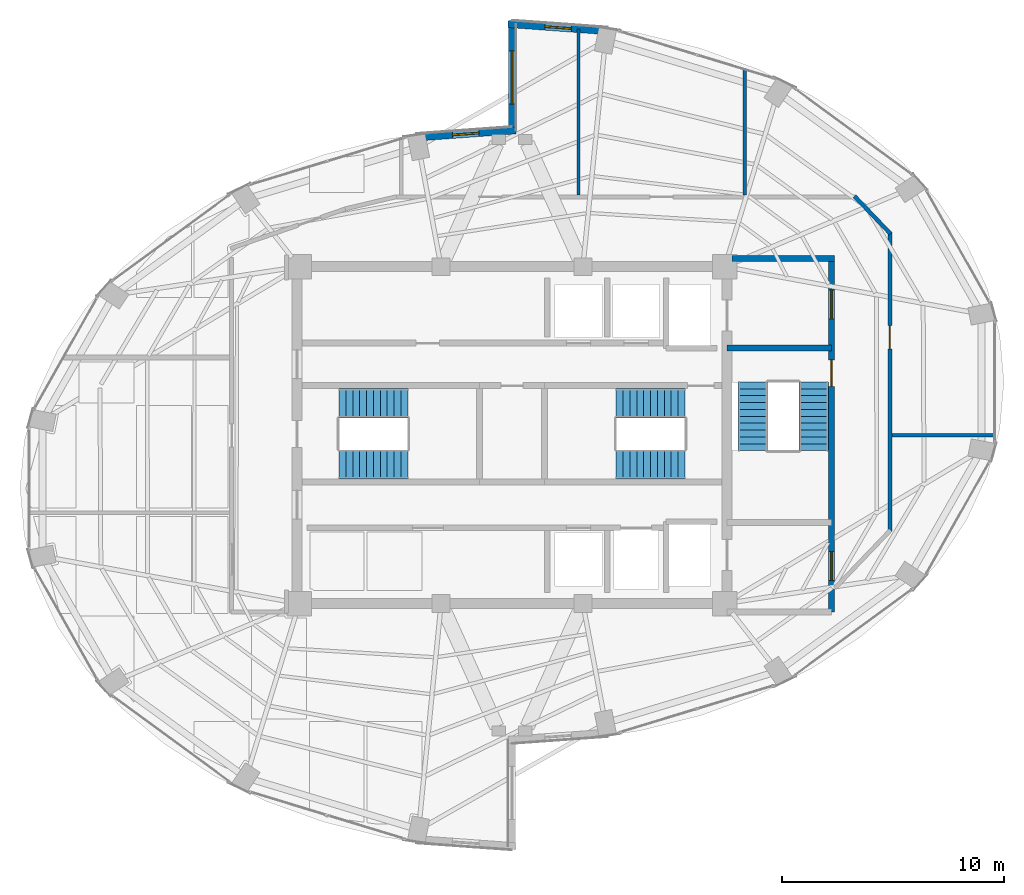
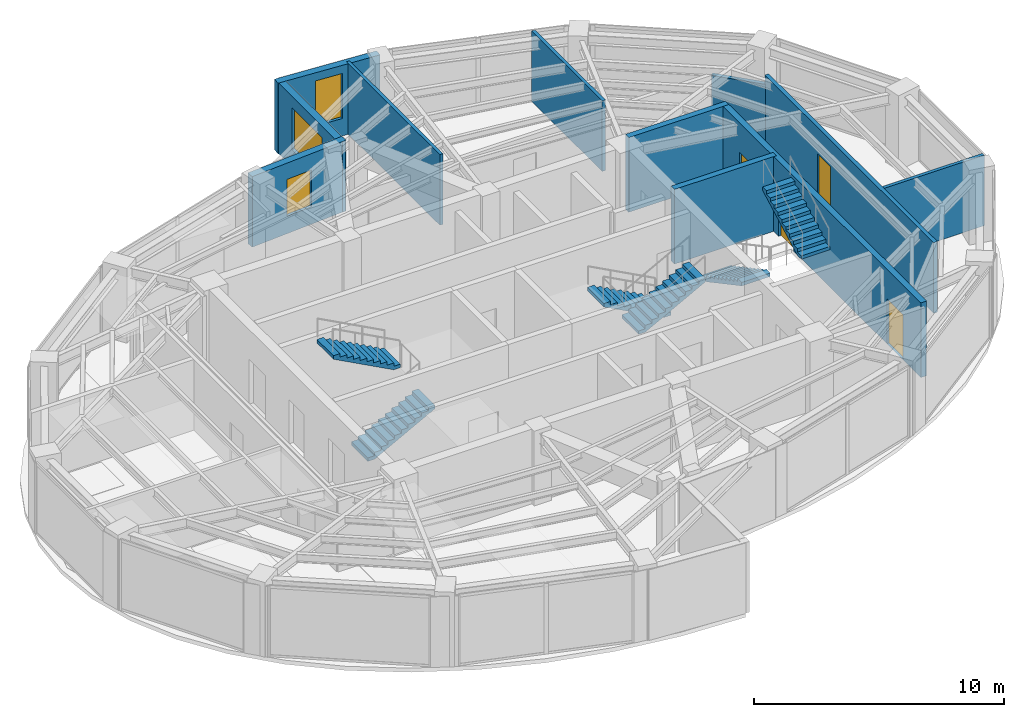
# One storey, part 20 of 22: 11 walls, 6 stair flights, 4 doors, 3 windows, 7 openings, 3 elements without a shape of their own.
"""IFC4 building model written with IfcOpenShell, lengths in metres."""

from ifc_helpers import new_model, si_unit, direction, frame, frame_2d, origin, place, context, subcontext, project, spatial, polyline, rectangle, outline, extrude, material, layer, layer_set, type_object, element, fill, aggregate, save


model = new_model("IFC4")

# Units and contexts
model_context = context("Model", 3, precision=1e-05, world=origin(), true_north=direction((0.0, 1.0)))
body_context = subcontext(model_context, "Body", "Model", "MODEL_VIEW")
ifc_project = project(units=[si_unit("LENGTHUNIT", "METRE"), si_unit("AREAUNIT", "SQUARE_METRE"), si_unit("VOLUMEUNIT", "CUBIC_METRE"), si_unit("PLANEANGLEUNIT", "RADIAN"), si_unit("MASSUNIT", "GRAM", prefix="KILO")], contexts=[model_context])

# Site, building, storey
site_placement = place(None, origin())
site = spatial("IfcSite", under=ifc_project, at=site_placement, CompositionType="ELEMENT")
building_placement = place(site_placement, origin())
building = spatial("IfcBuilding", under=site, at=building_placement, Name="Lazwardi Medical Tower", CompositionType="ELEMENT")
storey_placement = place(building_placement, frame((0.0, 0.0, 238.60791015625)))
storey = spatial("IfcBuildingStorey", under=building, at=storey_placement, Name="L62", CompositionType="ELEMENT", Elevation=238.60791015625)

# Wall
ifc_material_1 = material(Name="Fire-rated gypsum board on steel stud", Category="steel")
ifc_layer_1 = layer(ifc_material_1, 0.179931640625)
ifc_layer_set_1 = layer_set([ifc_layer_1], Name="Fire-rated gypsum board on steel stud")
wall_type_1 = type_object("IfcWallType", Name="WL-COR-180", PredefinedType="PARTITIONING", material=ifc_layer_set_1)
wall_1_placement = place(storey_placement, frame((51.45751953125, 38.77880859375, 0.0), z_axis=(0.0, 0.0, 1.0), x_axis=(0.691359830363, -0.722510612352, 0.0)))
element("IfcWall", 1, at=wall_1_placement, inside=storey, type_object=wall_type_1, Name="L62 Corridor partition 4", PredefinedType="PARTITIONING", context=body_context, shape_type="SweptSolid", body=[
    extrude(rectangle(XDim=2.34326171875, YDim=0.179931640625, at=frame_2d((1.171630859375, 0.0))), origin(), (0.0, 0.0, 1.0), 3.033203125),
])

# Wall, opening, door
wall_2_placement = place(storey_placement, frame((53.050048828125, 37.154541015625, 0.0), z_axis=(0.0, 0.0, 1.0), x_axis=(0.0, -1.0, 0.0)))
wall_2 = element("IfcWall", 2, at=wall_2_placement, inside=storey, type_object=wall_type_1, Name="L62 Corridor partition 5", PredefinedType="PARTITIONING", context=body_context, shape_type="SweptSolid", body=[
    extrude(rectangle(XDim=13.509033203125, YDim=0.179931640625, at=frame_2d((6.75439453125, 0.0))), origin(), (0.0, 0.0, 1.0), 3.447998046875),
])
opening_1_placement = place(wall_2_placement, frame((4.211181640625, 0.0, 0.0)))
opening_1 = element("IfcOpeningElement", 3, at=opening_1_placement, cuts=wall_2, Name="Opening D-L62-010", PredefinedType="OPENING", context=body_context, shape_type="SweptSolid", body=[
    extrude(rectangle(XDim=1.050048828125, YDim=2.14990234375, at=frame_2d((0.52490234375, 1.074951171875))), frame((0.0, 0.099853515625, 0.0), z_axis=(0.0, -1.0, 0.0), x_axis=(1.0, 0.0, 0.0)), (0.0, 0.0, 1.0), 0.199951171875),
])
ifc_material_2 = material(Name="Anti-microbial laminate hospital leaf")
door_type_1 = type_object("IfcDoorType", Name="DR-CLN-1050", OperationType="NOTDEFINED", PredefinedType="DOOR", material=ifc_material_2)
door_1_placement = place(opening_1_placement, origin())
door_1 = element("IfcDoor", 4, at=door_1_placement, inside=storey, type_object=door_type_1, Name="L62 Medical Duty Staff Room Door 03", OperationType="SINGLE_SWING_RIGHT", OverallHeight=2.14990234375, OverallWidth=1.050048828125, PredefinedType="DOOR", context=body_context, shape_type="SweptSolid", body=[
    extrude(rectangle(XDim=1.050048828125, YDim=2.14990234375, at=frame_2d((0.52490234375, 1.074951171875))), frame((0.0, 0.02490234375, 0.0), z_axis=(0.0, -1.0, 0.0), x_axis=(1.0, 0.0, 0.0)), (0.0, 0.0, 1.0), 0.050048828125),
])
fill(opening_1, door_1)

# Wall, opening, window
ifc_material_3 = material(Name="Precast concrete C45/55", Category="concrete")
ifc_layer_2 = layer(ifc_material_3, 0.320068359375)
ifc_layer_set_2 = layer_set([ifc_layer_2], Name="Precast concrete C45/55")
wall_type_2 = type_object("IfcWallType", Name="WL-IWAN-320", PredefinedType="SOLIDWALL", material=ifc_layer_set_2)
wall_3_placement = place(storey_placement, frame((40.349609375, 46.226318359375, 0.0), z_axis=(0.0, 0.0, 1.0), x_axis=(-0.997409061056, 0.071938619141, 0.0)))
wall_3 = element("IfcWall", 5, at=wall_3_placement, inside=storey, type_object=wall_type_2, Name="L62 Iwan Portal Return Wall NE_ret", PredefinedType="SOLIDWALL", context=body_context, shape_type="SweptSolid", body=[
    extrude(rectangle(XDim=4.540771484375, YDim=0.320068359375, at=frame_2d((2.2705078125, 0.0))), origin(), (0.0, 0.0, 1.0), 3.447998046875),
])
opening_2_placement = place(wall_3_placement, frame((1.67041015625, 0.0, 0.85009765625)))
opening_2 = element("IfcOpeningElement", 6, at=opening_2_placement, cuts=wall_3, Name="Opening WN-01", PredefinedType="OPENING", context=body_context, shape_type="SweptSolid", body=[
    extrude(rectangle(XDim=1.199951171875, YDim=2.199951171875, at=frame_2d((0.60009765625, 1.10009765625))), frame((0.0, 0.169921875, 0.0), z_axis=(0.0, -1.0, 0.0), x_axis=(1.0, 0.0, 0.0)), (0.0, 0.0, 1.0), 0.340087890625),
])
ifc_material_4 = material(Name="Low-e bronze solar control double glazing", Category="glass")
window_type_1 = type_object("IfcWindowType", Name="WIN-IW-1200", PartitioningType="SINGLE_PANEL", PredefinedType="WINDOW", material=ifc_material_4)
window_1_placement = place(opening_2_placement, origin())
window_1 = element("IfcWindow", 7, at=window_1_placement, inside=storey, type_object=window_type_1, Name="L62 Iwan Slot Window NE_ret", OverallHeight=2.199951171875, OverallWidth=1.199951171875, PartitioningType="SINGLE_PANEL", PredefinedType="WINDOW", context=body_context, shape_type="SweptSolid", body=[
    extrude(rectangle(XDim=1.199951171875, YDim=2.199951171875, at=frame_2d((0.60009765625, 1.10009765625))), frame((0.0, 0.030029296875, 0.0), z_axis=(0.0, -1.0, 0.0), x_axis=(1.0, 0.0, 0.0)), (0.0, 0.0, 1.0), 0.06005859375),
])
fill(opening_2, window_1)

wall_4_placement = place(storey_placement, frame((36.17919921875, 41.7529296875, 0.0), z_axis=(0.0, 0.0, 1.0), x_axis=(-0.997408782787, -0.071942477163, 0.0)))
wall_4 = element("IfcWall", 8, at=wall_4_placement, inside=storey, type_object=wall_type_2, Name="L62 Iwan Portal Return Wall NW_ret", PredefinedType="SOLIDWALL", context=body_context, shape_type="SweptSolid", body=[
    extrude(rectangle(XDim=4.54052734375, YDim=0.320068359375, at=frame_2d((2.270263671875, 0.0))), origin(), (0.0, 0.0, 1.0), 3.447998046875),
])
opening_3_placement = place(wall_4_placement, frame((1.67041015625, 0.0, 0.85009765625)))
opening_3 = element("IfcOpeningElement", 9, at=opening_3_placement, cuts=wall_4, Name="Opening WN-04", PredefinedType="OPENING", context=body_context, shape_type="SweptSolid", body=[
    extrude(rectangle(XDim=1.199951171875, YDim=1.800048828125, at=frame_2d((0.60009765625, 0.89990234375))), frame((0.0, 0.169921875, 0.0), z_axis=(0.0, -1.0, 0.0), x_axis=(1.0, 0.0, 0.0)), (0.0, 0.0, 1.0), 0.340087890625),
])
window_type_2 = type_object("IfcWindowType", Name="WIN-DRUM-1200", PartitioningType="SINGLE_PANEL", PredefinedType="WINDOW", material=ifc_material_4)
window_2_placement = place(opening_3_placement, origin())
window_2 = element("IfcWindow", 10, at=window_2_placement, inside=storey, type_object=window_type_2, Name="L62 Iwan Slot Window NW_ret", OverallHeight=1.800048828125, OverallWidth=1.199951171875, PartitioningType="SINGLE_PANEL", PredefinedType="WINDOW", context=body_context, shape_type="SweptSolid", body=[
    extrude(rectangle(XDim=1.199951171875, YDim=1.800048828125, at=frame_2d((0.60009765625, 0.89990234375))), frame((0.0, 0.030029296875, 0.0), z_axis=(0.0, -1.0, 0.0), x_axis=(1.0, 0.0, 0.0)), (0.0, 0.0, 1.0), 0.06005859375),
])
fill(opening_3, window_2)

wall_5_placement = place(storey_placement, frame((36.0, 46.699951171875, 0.0), z_axis=(0.0, 0.0, 1.0), x_axis=(0.0, -1.0, 0.0)))
wall_5 = element("IfcWall", 11, at=wall_5_placement, inside=storey, type_object=wall_type_2, Name="L62 Turquoise Tilework Iwan Seam Wall N_seam", PredefinedType="SOLIDWALL", context=body_context, shape_type="SweptSolid", body=[
    extrude(rectangle(XDim=5.119873046875, YDim=0.320068359375, at=frame_2d((2.56005859375, 0.0))), origin(), (0.0, 0.0, 1.0), 3.447998046875),
])
opening_4_placement = place(wall_5_placement, frame((1.360107421875, 0.0, 0.840087890625)))
opening_4 = element("IfcOpeningElement", 12, at=opening_4_placement, cuts=wall_5, Name="Opening WN-02", PredefinedType="OPENING", context=body_context, shape_type="SweptSolid", body=[
    extrude(rectangle(XDim=2.39990234375, YDim=2.0400390625, at=frame_2d((1.199951171875, 1.02001953125))), frame((0.0, 0.169921875, 0.0), z_axis=(0.0, -1.0, 0.0), x_axis=(1.0, 0.0, 0.0)), (0.0, 0.0, 1.0), 0.340087890625),
])
window_type_3 = type_object("IfcWindowType", Name="WIN-IW-2400", PartitioningType="SINGLE_PANEL", PredefinedType="WINDOW", material=ifc_material_4)
window_3_placement = place(opening_4_placement, origin())
window_3 = element("IfcWindow", 13, at=window_3_placement, inside=storey, type_object=window_type_3, Name="L62 Iwan Seam Window N_seam", OverallHeight=2.0400390625, OverallWidth=2.39990234375, PartitioningType="SINGLE_PANEL", PredefinedType="WINDOW", context=body_context, shape_type="SweptSolid", body=[
    extrude(rectangle(XDim=2.39990234375, YDim=2.0400390625, at=frame_2d((1.199951171875, 1.02001953125))), frame((0.0, 0.030029296875, 0.0), z_axis=(0.0, -1.0, 0.0), x_axis=(1.0, 0.0, 0.0)), (0.0, 0.0, 1.0), 0.06005859375),
])
fill(opening_4, window_3)

# Wall, openings, doors
ifc_material_5 = material(Name="Concrete C50/60", Category="concrete")
ifc_layer_3 = layer(ifc_material_5, 0.27001953125)
ifc_layer_set_3 = layer_set([ifc_layer_3], Name="Concrete C50/60")
wall_type_3 = type_object("IfcWallType", Name="WL-STR-250", PredefinedType="SHEAR", material=ifc_layer_set_3)
wall_6_placement = place(storey_placement, frame((50.4150390625, 35.844970703125, 0.0), z_axis=(0.0, 0.0, 1.0), x_axis=(0.0, -1.0, 0.0)))
wall_6 = element("IfcWall", 14, at=wall_6_placement, inside=storey, type_object=wall_type_3, Name="L62 East ST3 & FFL shear wall SW-S1", PredefinedType="SHEAR", context=body_context, shape_type="SweptSolid", body=[
    extrude(rectangle(XDim=15.824951171875, YDim=0.27001953125, at=frame_2d((7.91259765625, 0.0))), origin(), (0.0, 0.0, 1.0), 3.648193359375),
])
opening_5_placement = place(wall_6_placement, frame((4.445068359375, 0.0, 0.0)))
opening_5 = element("IfcOpeningElement", 15, at=opening_5_placement, cuts=wall_6, Name="Opening D-L62-016", PredefinedType="OPENING", context=body_context, shape_type="SweptSolid", body=[
    extrude(rectangle(XDim=1.199951171875, YDim=2.14990234375, at=frame_2d((0.60009765625, 1.074951171875))), frame((0.0, 0.14501953125, 0.0), z_axis=(0.0, -1.0, 0.0), x_axis=(1.0, 0.0, 0.0)), (0.0, 0.0, 1.0), 0.2900390625),
])
opening_6_placement = place(wall_6_placement, frame((1.294921875, 0.0, 0.0)))
opening_6 = element("IfcOpeningElement", 16, at=opening_6_placement, cuts=wall_6, Name="Opening D-L62-004", PredefinedType="OPENING", context=body_context, shape_type="SweptSolid", body=[
    extrude(rectangle(XDim=1.300048828125, YDim=2.199951171875, at=frame_2d((0.64990234375, 1.10009765625))), frame((0.0, 0.14501953125, 0.0), z_axis=(0.0, -1.0, 0.0), x_axis=(1.0, 0.0, 0.0)), (0.0, 0.0, 1.0), 0.2900390625),
])
opening_7_placement = place(wall_6_placement, frame((13.094970703125, 0.0, 0.0)))
opening_7 = element("IfcOpeningElement", 17, at=opening_7_placement, cuts=wall_6, Name="Opening D-L62-005", PredefinedType="OPENING", context=body_context, shape_type="SweptSolid", body=[
    extrude(rectangle(XDim=1.300048828125, YDim=2.199951171875, at=frame_2d((0.64990234375, 1.10009765625))), frame((0.0, 0.14501953125, 0.0), z_axis=(0.0, -1.0, 0.0), x_axis=(1.0, 0.0, 0.0)), (0.0, 0.0, 1.0), 0.2900390625),
])
ifc_material_6 = material(Name="Fire-rated steel leaf and frame", Category="steel")
door_type_2 = type_object("IfcDoorType", Name="DR-FFL-1300", OperationType="NOTDEFINED", PredefinedType="DOOR", material=ifc_material_6)
door_2_placement = place(opening_6_placement, origin())
door_2 = element("IfcDoor", 18, at=door_2_placement, inside=storey, type_object=door_type_2, Name="L62 Fire-Fighting Lobby North Door", OperationType="SINGLE_SWING_RIGHT", OverallHeight=2.199951171875, OverallWidth=1.300048828125, PredefinedType="DOOR", context=body_context, shape_type="SweptSolid", body=[
    extrude(rectangle(XDim=1.300048828125, YDim=2.199951171875, at=frame_2d((0.64990234375, 1.10009765625))), frame((0.0, 0.02490234375, 0.0), z_axis=(0.0, -1.0, 0.0), x_axis=(1.0, 0.0, 0.0)), (0.0, 0.0, 1.0), 0.050048828125),
])
fill(opening_6, door_2)
door_3_placement = place(opening_7_placement, origin())
door_3 = element("IfcDoor", 19, at=door_3_placement, inside=storey, type_object=door_type_2, Name="L62 Fire-Fighting Lobby South Door", OperationType="SINGLE_SWING_LEFT", OverallHeight=2.199951171875, OverallWidth=1.300048828125, PredefinedType="DOOR", context=body_context, shape_type="SweptSolid", body=[
    extrude(rectangle(XDim=1.300048828125, YDim=2.199951171875, at=frame_2d((0.64990234375, 1.10009765625))), frame((0.0, 0.02490234375, 0.0), z_axis=(0.0, -1.0, 0.0), x_axis=(1.0, 0.0, 0.0)), (0.0, 0.0, 1.0), 0.050048828125),
])
fill(opening_7, door_3)
door_type_3 = type_object("IfcDoorType", Name="DR-STR-1200", OperationType="NOTDEFINED", PredefinedType="DOOR", material=ifc_material_6)
door_4_placement = place(opening_5_placement, origin())
door_4 = element("IfcDoor", 20, at=door_4_placement, inside=storey, type_object=door_type_3, Name="L62 Exit Stair ST3 Door", OperationType="SINGLE_SWING_LEFT", OverallHeight=2.14990234375, OverallWidth=1.199951171875, PredefinedType="DOOR", context=body_context, shape_type="SweptSolid", body=[
    extrude(rectangle(XDim=1.199951171875, YDim=2.14990234375, at=frame_2d((0.60009765625, 1.074951171875))), frame((0.0, 0.02490234375, 0.0), z_axis=(0.0, -1.0, 0.0), x_axis=(1.0, 0.0, 0.0)), (0.0, 0.0, 1.0), 0.050048828125),
])
fill(opening_5, door_4)

# Walls
wall_7_placement = place(storey_placement, frame((45.925048828125, 35.97998046875, 0.0), z_axis=(0.0, 0.0, 1.0), x_axis=(1.0, 0.0, 0.0)))
element("IfcWall", 21, at=wall_7_placement, inside=storey, type_object=wall_type_3, Name="L62 FFL-N North shear wall SW-S1", PredefinedType="SHEAR", context=body_context, shape_type="SweptSolid", body=[
    extrude(rectangle(XDim=4.625, YDim=0.27001953125, at=frame_2d((2.3125, 0.0))), origin(), (0.0, 0.0, 1.0), 3.648193359375),
])
wall_8_placement = place(storey_placement, frame((45.699951171875, 31.93505859375, 0.0), z_axis=(0.0, 0.0, 1.0), x_axis=(1.0, 0.0, 0.0)))
element("IfcWall", 22, at=wall_8_placement, inside=storey, type_object=wall_type_3, Name="L62 ST3 North shear shaft wall SW-S1", PredefinedType="SHEAR", context=body_context, shape_type="SweptSolid", body=[
    extrude(rectangle(XDim=4.715087890625, YDim=0.27001953125, at=frame_2d((2.357421875, 0.0))), origin(), (0.0, 0.0, 1.0), 3.648193359375),
])
ifc_material_7 = material(Name="Acoustic gypsum board partition")
ifc_layer_4 = layer(ifc_material_7, 0.14990234375)
ifc_layer_set_4 = layer_set([ifc_layer_4], Name="Acoustic gypsum board partition")
wall_type_4 = type_object("IfcWallType", Name="WL-WRD-150", PredefinedType="PARTITIONING", material=ifc_layer_set_4)
wall_9_placement = place(storey_placement, frame((53.139892578125, 28.0, 0.0), z_axis=(0.0, 0.0, 1.0), x_axis=(1.0, 0.0, 0.0)))
element("IfcWall", 23, at=wall_9_placement, inside=storey, type_object=wall_type_4, Name="L62 Room partition 3", PredefinedType="PARTITIONING", context=body_context, shape_type="SweptSolid", body=[
    extrude(rectangle(XDim=4.6318359375, YDim=0.14990234375, at=frame_2d((2.31591796875, 0.0))), origin(), (0.0, 0.0, 1.0), 3.447998046875),
])
wall_10_placement = place(storey_placement, frame((39.0, 38.840087890625, 0.0), z_axis=(0.0, 0.0, 1.0), x_axis=(0.0, 1.0, 0.0)))
element("IfcWall", 24, at=wall_10_placement, inside=storey, type_object=wall_type_4, Name="L62 Room partition 5", PredefinedType="PARTITIONING", context=body_context, shape_type="SweptSolid", body=[
    extrude(rectangle(XDim=7.482421875, YDim=0.14990234375, at=frame_2d((3.7412109375, 0.0))), origin(), (0.0, 0.0, 1.0), 3.447998046875),
])
wall_11_placement = place(storey_placement, frame((46.5, 38.840087890625, 0.0), z_axis=(0.0, 0.0, 1.0), x_axis=(0.0, 1.0, 0.0)))
element("IfcWall", 25, at=wall_11_placement, inside=storey, type_object=wall_type_4, Name="L62 Room partition 6", PredefinedType="PARTITIONING", context=body_context, shape_type="SweptSolid", body=[
    extrude(rectangle(XDim=5.64111328125, YDim=0.14990234375, at=frame_2d((2.820556640625, 0.0))), origin(), (0.0, 0.0, 1.0), 3.447998046875),
])

# Stair, stair flights
ifc_material_8 = material(Name="Concrete C45/55", Category="concrete")
stair_type = type_object("IfcStairType", Name="STR-WRD", PredefinedType="HALF_TURN_STAIR", material=ifc_material_8)
stair_1_placement = place(storey_placement, origin())
stair_1 = element("IfcStair", 26, at=stair_1_placement, inside=storey, type_object=stair_type, Name="L62 Protected Exit Stair ST1", PredefinedType="HALF_TURN_STAIR")
stair_flight_type = type_object("IfcStairFlightType", Name="FLT-WRD", PredefinedType="STRAIGHT", material=ifc_material_8)
stair_flight_1_placement = place(storey_placement, frame((28.199951171875, 26.679931640625, 0.0), z_axis=(0.0, 0.0, 1.0), x_axis=(1.0, 0.0, 0.0)))
stair_flight_1 = element("IfcStairFlight", 27, at=stair_flight_1_placement, type_object=stair_flight_type, Name="ST1 flight 1", NumberOfRisers=11, NumberOfTreads=10, PredefinedType="STRAIGHT", RiserHeight=0.165818182, TreadLength=0.31, context=body_context, shape_type="SweptSolid", body=[
    extrude(outline(polyline([(0.0, 0.0), (0.0, 0.165771484375), (0.31005859375, 0.165771484375), (0.31005859375, 0.33154296875), (0.6201171875, 0.33154296875), (0.6201171875, 0.49755859375), (0.929931640625, 0.49755859375), (0.929931640625, 0.663330078125), (1.239990234375, 0.663330078125), (1.239990234375, 0.8291015625), (1.550048828125, 0.8291015625), (1.550048828125, 0.994873046875), (1.860107421875, 0.994873046875), (1.860107421875, 1.16064453125), (2.169921875, 1.16064453125), (2.169921875, 1.32666015625), (2.47998046875, 1.32666015625), (2.47998046875, 1.492431640625), (2.7900390625, 1.492431640625), (2.7900390625, 1.658203125), (3.10009765625, 1.658203125), (3.10009765625, 1.823974609375), (3.10009765625, 1.48828125), (0.31787109375, 0.0), (0.0, 0.0)])), frame((0.0, 0.66015625, 0.0), z_axis=(0.0, -1.0, 0.0), x_axis=(1.0, 0.0, 0.0)), (0.0, 0.0, 1.0), 1.320068359375),
])
stair_flight_2_placement = place(storey_placement, frame((31.300048828125, 29.43994140625, 1.823974609375), z_axis=(0.0, 0.0, 1.0), x_axis=(-1.0, 0.0, 0.0)))
stair_flight_2 = element("IfcStairFlight", 28, at=stair_flight_2_placement, type_object=stair_flight_type, Name="ST1 flight 2", NumberOfRisers=11, NumberOfTreads=10, PredefinedType="STRAIGHT", RiserHeight=0.165818182, TreadLength=0.31, context=body_context, shape_type="SweptSolid", body=[
    extrude(outline(polyline([(0.0, 0.0), (0.0, 0.165771484375), (0.31005859375, 0.165771484375), (0.31005859375, 0.33154296875), (0.6201171875, 0.33154296875), (0.6201171875, 0.49755859375), (0.929931640625, 0.49755859375), (0.929931640625, 0.663330078125), (1.239990234375, 0.663330078125), (1.239990234375, 0.8291015625), (1.550048828125, 0.8291015625), (1.550048828125, 0.994873046875), (1.860107421875, 0.994873046875), (1.860107421875, 1.16064453125), (2.169921875, 1.16064453125), (2.169921875, 1.32666015625), (2.47998046875, 1.32666015625), (2.47998046875, 1.492431640625), (2.7900390625, 1.492431640625), (2.7900390625, 1.658203125), (3.10009765625, 1.658203125), (3.10009765625, 1.823974609375), (3.10009765625, 1.48828125), (0.31787109375, 0.0), (0.0, 0.0)])), frame((0.0, 0.66015625, 0.0), z_axis=(0.0, -1.0, 0.0), x_axis=(1.0, 0.0, 0.0)), (0.0, 0.0, 1.0), 1.320068359375),
])
aggregate(stair_1, [stair_flight_1, stair_flight_2])

stair_2_placement = place(storey_placement, origin())
stair_2 = element("IfcStair", 29, at=stair_2_placement, inside=storey, type_object=stair_type, Name="L62 Protected Exit Stair ST2", PredefinedType="HALF_TURN_STAIR")
stair_flight_3_placement = place(storey_placement, frame((43.800048828125, 29.43994140625, 0.0), z_axis=(0.0, 0.0, 1.0), x_axis=(-1.0, 0.0, 0.0)))
stair_flight_3 = element("IfcStairFlight", 30, at=stair_flight_3_placement, type_object=stair_flight_type, Name="ST2 flight 1", NumberOfRisers=11, NumberOfTreads=10, PredefinedType="STRAIGHT", RiserHeight=0.165818182, TreadLength=0.31, context=body_context, shape_type="SweptSolid", body=[
    extrude(outline(polyline([(0.0, 0.0), (0.0, 0.165771484375), (0.31005859375, 0.165771484375), (0.31005859375, 0.33154296875), (0.6201171875, 0.33154296875), (0.6201171875, 0.49755859375), (0.929931640625, 0.49755859375), (0.929931640625, 0.663330078125), (1.239990234375, 0.663330078125), (1.239990234375, 0.8291015625), (1.550048828125, 0.8291015625), (1.550048828125, 0.994873046875), (1.860107421875, 0.994873046875), (1.860107421875, 1.16064453125), (2.169921875, 1.16064453125), (2.169921875, 1.32666015625), (2.47998046875, 1.32666015625), (2.47998046875, 1.492431640625), (2.7900390625, 1.492431640625), (2.7900390625, 1.658203125), (3.10009765625, 1.658203125), (3.10009765625, 1.823974609375), (3.10009765625, 1.48828125), (0.31787109375, 0.0), (0.0, 0.0)])), frame((0.0, 0.66015625, 0.0), z_axis=(0.0, -1.0, 0.0), x_axis=(1.0, 0.0, 0.0)), (0.0, 0.0, 1.0), 1.320068359375),
])
stair_flight_4_placement = place(storey_placement, frame((40.699951171875, 26.679931640625, 1.823974609375), z_axis=(0.0, 0.0, 1.0), x_axis=(1.0, 0.0, 0.0)))
stair_flight_4 = element("IfcStairFlight", 31, at=stair_flight_4_placement, type_object=stair_flight_type, Name="ST2 flight 2", NumberOfRisers=11, NumberOfTreads=10, PredefinedType="STRAIGHT", RiserHeight=0.165818182, TreadLength=0.31, context=body_context, shape_type="SweptSolid", body=[
    extrude(outline(polyline([(0.0, 0.0), (0.0, 0.165771484375), (0.31005859375, 0.165771484375), (0.31005859375, 0.33154296875), (0.6201171875, 0.33154296875), (0.6201171875, 0.49755859375), (0.929931640625, 0.49755859375), (0.929931640625, 0.663330078125), (1.239990234375, 0.663330078125), (1.239990234375, 0.8291015625), (1.550048828125, 0.8291015625), (1.550048828125, 0.994873046875), (1.860107421875, 0.994873046875), (1.860107421875, 1.16064453125), (2.169921875, 1.16064453125), (2.169921875, 1.32666015625), (2.47998046875, 1.32666015625), (2.47998046875, 1.492431640625), (2.7900390625, 1.492431640625), (2.7900390625, 1.658203125), (3.10009765625, 1.658203125), (3.10009765625, 1.823974609375), (3.10009765625, 1.48828125), (0.31787109375, 0.0), (0.0, 0.0)])), frame((0.0, 0.66015625, 0.0), z_axis=(0.0, -1.0, 0.0), x_axis=(1.0, 0.0, 0.0)), (0.0, 0.0, 1.0), 1.320068359375),
])
aggregate(stair_2, [stair_flight_3, stair_flight_4])

stair_3_placement = place(storey_placement, origin())
stair_3 = element("IfcStair", 32, at=stair_3_placement, inside=storey, type_object=stair_type, Name="L62 Protected Exit Stair ST3", PredefinedType="HALF_TURN_STAIR")
stair_flight_5_placement = place(storey_placement, frame((46.860107421875, 30.39990234375, 0.0), z_axis=(0.0, 0.0, 1.0), x_axis=(0.0, -1.0, 0.0)))
stair_flight_5 = element("IfcStairFlight", 33, at=stair_flight_5_placement, type_object=stair_flight_type, Name="ST3 flight 1", NumberOfRisers=11, NumberOfTreads=10, PredefinedType="STRAIGHT", RiserHeight=0.165818182, TreadLength=0.31, context=body_context, shape_type="SweptSolid", body=[
    extrude(outline(polyline([(0.0, 0.0), (0.0, 0.165771484375), (0.31005859375, 0.165771484375), (0.31005859375, 0.33154296875), (0.6201171875, 0.33154296875), (0.6201171875, 0.49755859375), (0.929931640625, 0.49755859375), (0.929931640625, 0.663330078125), (1.239990234375, 0.663330078125), (1.239990234375, 0.8291015625), (1.550048828125, 0.8291015625), (1.550048828125, 0.994873046875), (1.860107421875, 0.994873046875), (1.860107421875, 1.16064453125), (2.169921875, 1.16064453125), (2.169921875, 1.32666015625), (2.47998046875, 1.32666015625), (2.47998046875, 1.492431640625), (2.7900390625, 1.492431640625), (2.7900390625, 1.658203125), (3.10009765625, 1.658203125), (3.10009765625, 1.823974609375), (3.10009765625, 1.48828125), (0.31787109375, 0.0), (0.0, 0.0)])), frame((0.0, 0.66015625, 0.0), z_axis=(0.0, -1.0, 0.0), x_axis=(1.0, 0.0, 0.0)), (0.0, 0.0, 1.0), 1.320068359375),
])
stair_flight_6_placement = place(storey_placement, frame((49.6201171875, 27.300048828125, 1.823974609375), z_axis=(0.0, 0.0, 1.0), x_axis=(0.0, 1.0, 0.0)))
stair_flight_6 = element("IfcStairFlight", 34, at=stair_flight_6_placement, type_object=stair_flight_type, Name="ST3 flight 2", NumberOfRisers=11, NumberOfTreads=10, PredefinedType="STRAIGHT", RiserHeight=0.165818182, TreadLength=0.31, context=body_context, shape_type="SweptSolid", body=[
    extrude(outline(polyline([(0.0, 0.0), (0.0, 0.165771484375), (0.31005859375, 0.165771484375), (0.31005859375, 0.33154296875), (0.6201171875, 0.33154296875), (0.6201171875, 0.49755859375), (0.929931640625, 0.49755859375), (0.929931640625, 0.663330078125), (1.239990234375, 0.663330078125), (1.239990234375, 0.8291015625), (1.550048828125, 0.8291015625), (1.550048828125, 0.994873046875), (1.860107421875, 0.994873046875), (1.860107421875, 1.16064453125), (2.169921875, 1.16064453125), (2.169921875, 1.32666015625), (2.47998046875, 1.32666015625), (2.47998046875, 1.492431640625), (2.7900390625, 1.492431640625), (2.7900390625, 1.658203125), (3.10009765625, 1.658203125), (3.10009765625, 1.823974609375), (3.10009765625, 1.48828125), (0.31787109375, 0.0), (0.0, 0.0)])), frame((0.0, 0.66015625, 0.0), z_axis=(0.0, -1.0, 0.0), x_axis=(1.0, 0.0, 0.0)), (0.0, 0.0, 1.0), 1.320068359375),
])
aggregate(stair_3, [stair_flight_5, stair_flight_6])

save(model, "model.ifc")
